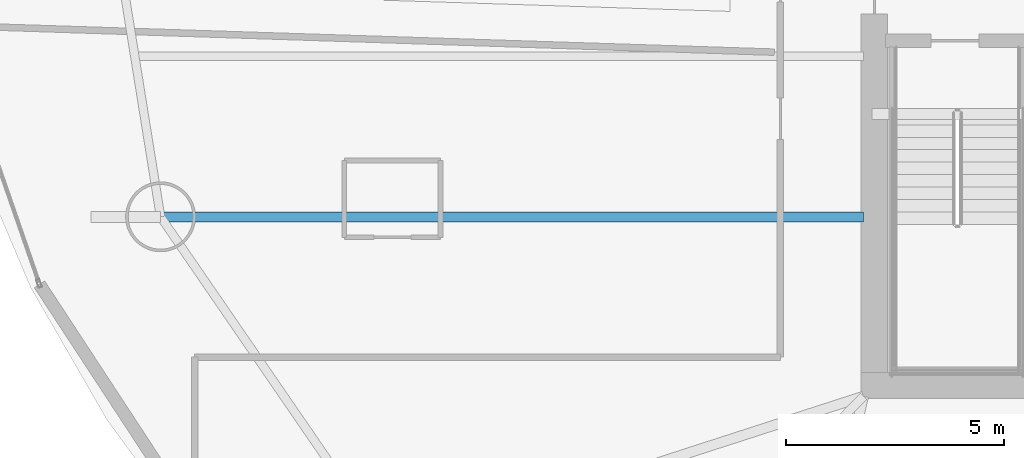
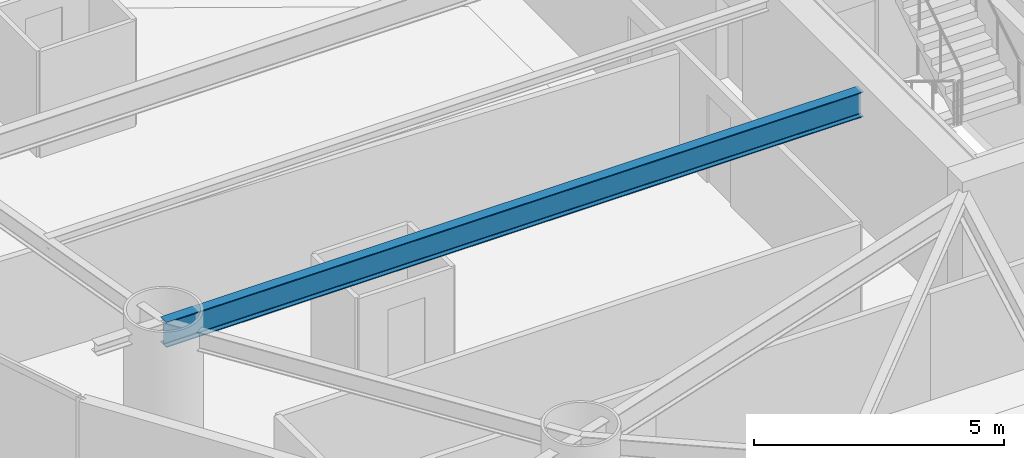
# One storey, part 5 of 27: 1 beam.
"""IFC4 building model written with IfcOpenShell, lengths in metres."""

import ifcopenshell
import ifcopenshell.guid

model = None  # the IFC model being written
_history = None  # IfcOwnerHistory: only IFC2X3 demands one
_inside = {}  # id of a spatial element -> (the spatial element, [elements in it])
_under = {}  # id of a project, library or spatial element -> (it, [spatial elements below it])
_declared = {}  # id of a project -> (the project, [libraries it declares])
_typed = {}  # id of a type object -> (the type object, [elements of that type])
_made_of = {}  # id of a material, layer set ... -> (it, [elements and type objects made of it])


def new_model(schema):
    """Start an empty IFC model of exactly this schema.

    Asked for "IFC4X3", IfcOpenShell would pick the latest addendum, in which some entities
    have other attributes; the version numbers below select the first issue.
    IFC2X3 requires an IfcOwnerHistory on every rooted entity: one is made here for all.
    """
    global model, _history
    if schema == "IFC4X3":
        model = ifcopenshell.file(schema_version=(4, 3, 0, 0))
    else:
        model = ifcopenshell.file(schema=schema)
    _inside.clear()
    _under.clear()
    _declared.clear()
    _typed.clear()
    _made_of.clear()
    _history = None
    if model.schema == "IFC2X3":
        org = make("IfcOrganization", Name="unknown")
        user = make(
            "IfcPersonAndOrganization",
            ThePerson=make("IfcPerson", FamilyName="unknown"),
            TheOrganization=org,
        )
        app = make(
            "IfcApplication",
            ApplicationDeveloper=org,
            Version="unknown",
            ApplicationFullName="unknown",
            ApplicationIdentifier="unknown",
        )
        _history = make(
            "IfcOwnerHistory",
            OwningUser=user,
            OwningApplication=app,
            ChangeAction="ADDED",
            CreationDate=0,
        )
    return model


def make(cls, **values):
    """One entity of the class cls with the attributes given. An attribute that is None is left unset."""
    return model.create_entity(
        cls, **{name: value for name, value in values.items() if value is not None}
    )


def rooted(cls, **values):
    """An entity with a GlobalId (a new one), such as an element, a storey or a relation."""
    return make(cls, GlobalId=ifcopenshell.guid.new(), OwnerHistory=_history, **values)


def si_unit(unit_type, name, prefix=None):
    """IfcSIUnit, for example si_unit("LENGTHUNIT", "METRE", prefix="MILLI")."""
    return make("IfcSIUnit", UnitType=unit_type, Prefix=prefix, Name=name)


def assignment(units):
    """IfcUnitAssignment: the units of a project."""
    return None if units is None else make("IfcUnitAssignment", Units=units)


def point(xyz):
    """IfcCartesianPoint."""
    return None if xyz is None else make("IfcCartesianPoint", Coordinates=xyz)


def direction(xyz):
    """IfcDirection."""
    return None if xyz is None else make("IfcDirection", DirectionRatios=xyz)


def frame(location, z_axis=None, x_axis=None):
    """IfcAxis2Placement3D, a coordinate frame: its origin and axes. An axis left out is left unset."""
    return make(
        "IfcAxis2Placement3D",
        Location=point(location),
        Axis=direction(z_axis),
        RefDirection=direction(x_axis),
    )


def frame_2d(location, x_axis=None):
    """IfcAxis2Placement2D, a coordinate frame in the plane: its origin and x axis."""
    return make(
        "IfcAxis2Placement2D", Location=point(location), RefDirection=direction(x_axis)
    )


def origin():
    """The frame at (0, 0, 0) with its axes left unset."""
    return frame((0.0, 0.0, 0.0))


def origin_2d():
    """The frame at (0, 0) in the plane with its x axis left unset."""
    return frame_2d((0.0, 0.0))


def place(relative_to, where):
    """IfcLocalPlacement: puts the frame where relative to a parent placement (None: the world)."""
    return make(
        "IfcLocalPlacement", PlacementRelTo=relative_to, RelativePlacement=where
    )


def context(
    kind, dimensions, precision=None, world=None, true_north=None, identifier=None
):
    """IfcGeometricRepresentationContext, for example the 3D "Model" context."""
    return make(
        "IfcGeometricRepresentationContext",
        ContextIdentifier=identifier,
        ContextType=kind,
        CoordinateSpaceDimension=dimensions,
        Precision=precision,
        WorldCoordinateSystem=world,
        TrueNorth=true_north,
    )


def subcontext(parent, identifier, kind, view, scale=None):
    """IfcGeometricRepresentationSubContext, for example "Body" below "Model"."""
    return make(
        "IfcGeometricRepresentationSubContext",
        ContextIdentifier=identifier,
        ContextType=kind,
        ParentContext=parent,
        TargetScale=scale,
        TargetView=view,
    )


def project(units=None, contexts=None):
    """IfcProject with its units and contexts."""
    return rooted(
        "IfcProject",
        Name="project",
        RepresentationContexts=contexts,
        UnitsInContext=assignment(units),
    )


def spatial(cls, under=None, at=None, **own):
    """A site, building, storey or space (cls), placed at a placement, below another one or the project."""
    s = rooted(cls, ObjectPlacement=at, **own)
    if under is not None:
        _under.setdefault(under.id(), (under, []))[1].append(s)
    return s


def profile(cls, at=None, kind="AREA", **sizes):
    """A parametric profile (cls). Its sizes go by their IFC names, for example OverallWidth=200.0."""
    return make(cls, ProfileType=kind, Position=at, **sizes)


def i_section(**sizes):
    """IfcIShapeProfileDef."""
    return profile("IfcIShapeProfileDef", **sizes)


def extrude(swept, where, along, depth):
    """IfcExtrudedAreaSolid: the profile swept, set in the frame where, extruded along a direction by depth."""
    return make(
        "IfcExtrudedAreaSolid",
        SweptArea=swept,
        Position=where,
        ExtrudedDirection=direction(along),
        Depth=depth,
    )


def shape(context_of_items, identifier, shape_type, items):
    """IfcShapeRepresentation: the items that make up one representation, for example the "Body"."""
    return make(
        "IfcShapeRepresentation",
        ContextOfItems=context_of_items,
        RepresentationIdentifier=identifier,
        RepresentationType=shape_type,
        Items=items,
    )


def material(Name=None, Category=None):
    """IfcMaterial."""
    return make("IfcMaterial", Name=Name, Category=Category)


def material_profile(
    of_material, cross_section, Name=None, Category=None, Priority=None
):
    """IfcMaterialProfile: a cross section and its material."""
    return make(
        "IfcMaterialProfile",
        Name=Name,
        Material=of_material,
        Profile=cross_section,
        Priority=Priority,
        Category=Category,
    )


def profile_set(profiles, Name=None, composite=None):
    """IfcMaterialProfileSet."""
    return make(
        "IfcMaterialProfileSet",
        Name=Name,
        MaterialProfiles=profiles,
        CompositeProfile=composite,
    )


def made_of(thing, what):
    """Note that an element or type object is made of a material, layer set ...; save() writes the relation."""
    if what is not None:
        _made_of.setdefault(what.id(), (what, []))[1].append(thing)
    return thing


def type_object(cls, material=None, **own):
    """A type object (cls), such as IfcWallType, which elements share."""
    return made_of(rooted(cls, **own), material)


def element(
    cls,
    number,
    at=None,
    inside=None,
    cuts=None,
    type_object=None,
    material=None,
    context=None,
    identifier="Body",
    shape_type=None,
    held_by="IfcProductDefinitionShape",
    body=None,
    shapes=None,
    **own,
):
    """One element of the class cls, such as IfcWall. Its Tag is "e" and its number.

    at: its placement. inside: the storey or other place that contains it. cuts: it is an
    opening in that element (IfcRelVoidsElement). A single representation is given by context,
    identifier, shape_type and body (its items); several are given by shapes. held_by: the class
    of the entity that holds the representations. save() writes the other relations.
    """
    e = rooted(cls, Tag="e%d" % number, ObjectPlacement=at, **own)
    if body is not None:
        shapes = [shape(context, identifier, shape_type, body)]
    if shapes is not None:
        e.Representation = make(held_by, Representations=shapes)
    if inside is not None:
        _inside.setdefault(inside.id(), (inside, []))[1].append(e)
    if cuts is not None:
        rooted(
            "IfcRelVoidsElement", RelatingBuildingElement=cuts, RelatedOpeningElement=e
        )
    if type_object is not None:
        _typed.setdefault(type_object.id(), (type_object, []))[1].append(e)
    return made_of(e, material)


def aggregate(whole, parts):
    """IfcRelAggregates: a whole, such as a stair, and the parts it consists of."""
    return rooted("IfcRelAggregates", RelatingObject=whole, RelatedObjects=parts)


def save(model, path):
    """Write the relations noted so far, then the file.

    IfcRelAggregates (storeys below a building ...), IfcRelContainedInSpatialStructure (elements
    in a storey), IfcRelDefinesByType, IfcRelAssociatesMaterial and IfcRelDeclares: one each for
    every whole, place, type object, material and project.
    """
    for whole, parts in _under.values():
        aggregate(whole, parts)
    for where, things in _inside.values():
        rooted(
            "IfcRelContainedInSpatialStructure",
            RelatedElements=things,
            RelatingStructure=where,
        )
    for kind, things in _typed.values():
        rooted("IfcRelDefinesByType", RelatedObjects=things, RelatingType=kind)
    for what, things in _made_of.values():
        rooted("IfcRelAssociatesMaterial", RelatedObjects=things, RelatingMaterial=what)
    for by, libraries in _declared.values():
        rooted("IfcRelDeclares", RelatingContext=by, RelatedDefinitions=libraries)
    model.write(path)


model = new_model("IFC4")

# Units and contexts
model_context = context("Model", 3, precision=1e-05, world=origin(), true_north=direction((0.0, 1.0)))
body_context = subcontext(model_context, "Body", "Model", "MODEL_VIEW")
ifc_project = project(units=[si_unit("LENGTHUNIT", "METRE"), si_unit("AREAUNIT", "SQUARE_METRE"), si_unit("VOLUMEUNIT", "CUBIC_METRE"), si_unit("PLANEANGLEUNIT", "RADIAN"), si_unit("MASSUNIT", "GRAM", prefix="KILO")], contexts=[model_context])

# Site, building, storey
site_placement = place(None, origin())
site = spatial("IfcSite", under=ifc_project, at=site_placement, CompositionType="ELEMENT")
building_placement = place(site_placement, origin())
building = spatial("IfcBuilding", under=site, at=building_placement, Name="Bramvorn Convention Spire", CompositionType="ELEMENT")
storey_placement = place(building_placement, frame((0.0, 0.0, 79.89990234375)))
storey = spatial("IfcBuildingStorey", under=building, at=storey_placement, Name="L18", CompositionType="ELEMENT", Elevation=79.89990234375)

# Beam
ifc_material = material(Name="Steel CSA G40.21 Grade 350 (350W)", Category="steel")
ifc_material_profile = material_profile(ifc_material, i_section(OverallWidth=0.22998046875, OverallDepth=0.616943359375, WebThickness=0.01318359375, FlangeThickness=0.022216796875, FilletRadius=0.02001953125, at=origin_2d()))
ifc_profile_set = profile_set([ifc_material_profile], Name="Steel CSA G40.21 Grade 350 (350W) - W610X140")
beam_type = type_object("IfcBeamType", Name="BM-W610X140", PredefinedType="BEAM", material=ifc_profile_set)
beam_placement = place(storey_placement, frame((26.75, 22.659912109375, 2.941650390625), z_axis=(-1.0, 0.0, 0.0), x_axis=(0.0, -1.0, 0.0)))
element("IfcBeam", 1, at=beam_placement, inside=storey, type_object=beam_type, Name="L18 radial floor girder MC10", PredefinedType="BEAM", context=body_context, shape_type="SweptSolid", body=[
    extrude(i_section(OverallWidth=0.22998046875, OverallDepth=0.616943359375, WebThickness=0.01318359375, FlangeThickness=0.022216796875, FilletRadius=0.02001953125, at=origin_2d()), origin(), (0.0, 0.0, 1.0), 16.088623046875),
])

save(model, "model.ifc")
